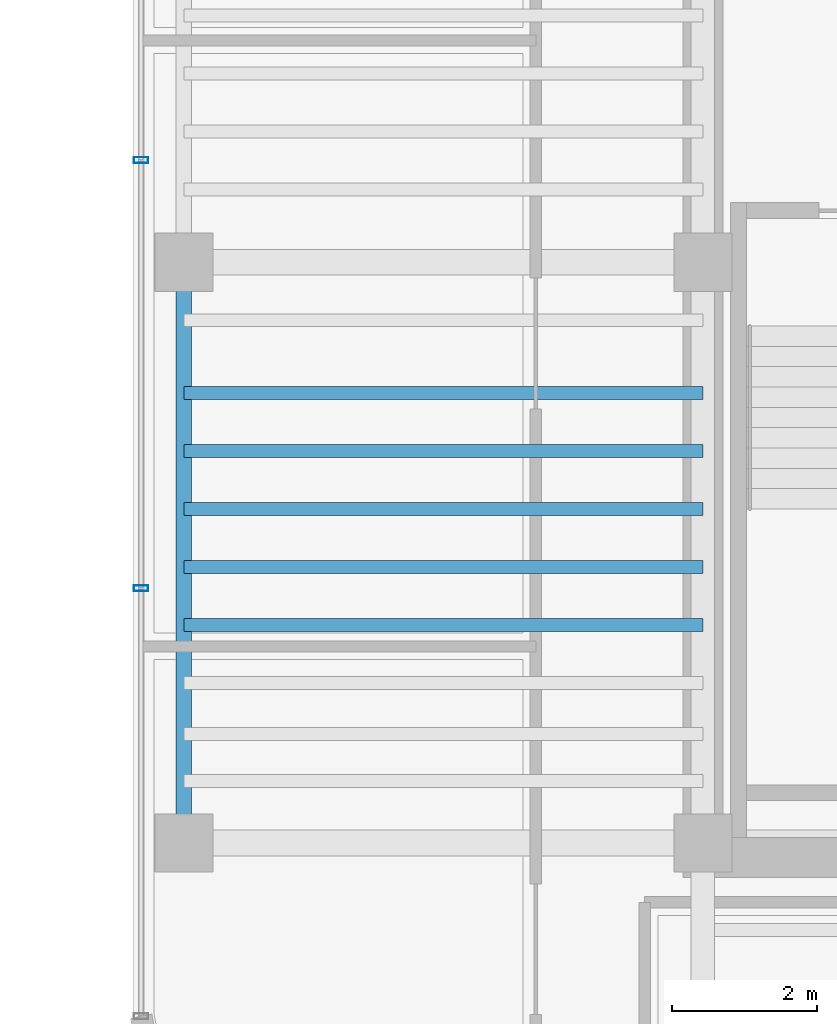
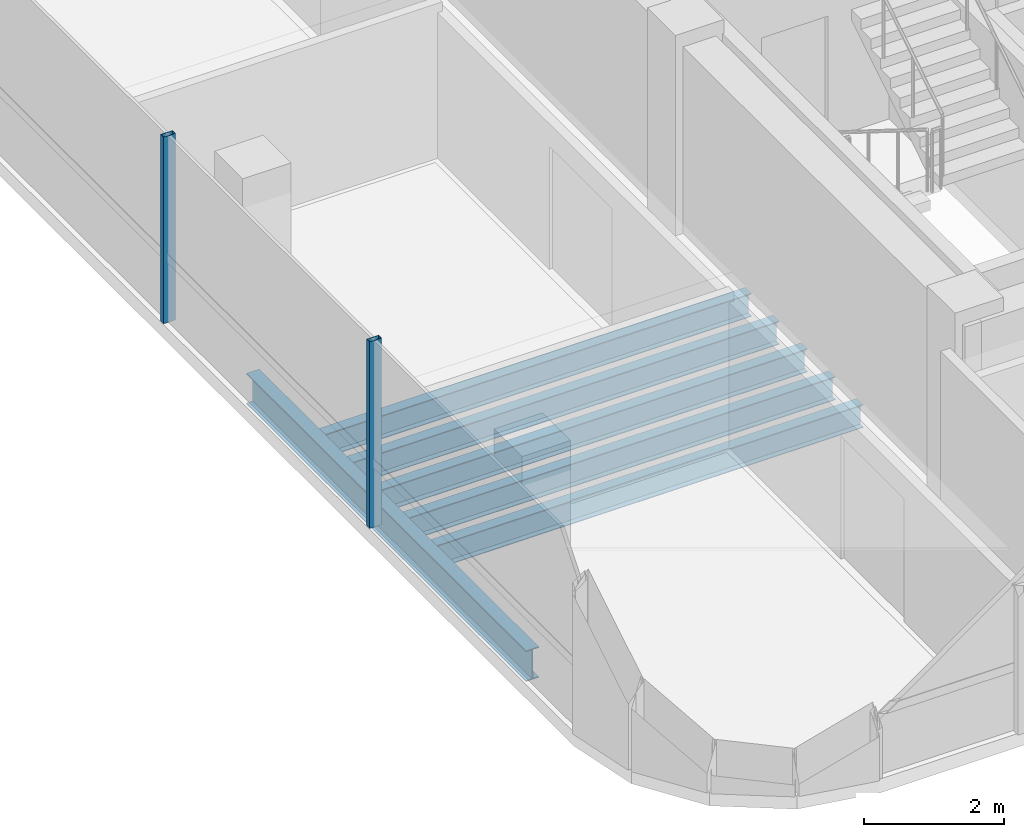
# One storey, part 4 of 21: 6 beams, 2 members, 1 element without a shape of its own.
"""IFC4 building model written with IfcOpenShell, lengths in metres."""

from ifc_helpers import new_model, si_unit, direction, frame, origin, origin_2d, place, context, subcontext, project, spatial, hollow_rectangle, i_section, extrude, source, transform, mapped, material, material_profile, profile_set, type_object, element, aggregate, save


model = new_model("IFC4")

# Units and contexts
model_context = context("Model", 3, precision=1e-05, world=origin(), true_north=direction((0.0, 1.0)))
body_context = subcontext(model_context, "Body", "Model", "MODEL_VIEW")
ifc_project = project(units=[si_unit("LENGTHUNIT", "METRE"), si_unit("AREAUNIT", "SQUARE_METRE"), si_unit("VOLUMEUNIT", "CUBIC_METRE"), si_unit("PLANEANGLEUNIT", "RADIAN"), si_unit("MASSUNIT", "GRAM", prefix="KILO")], contexts=[model_context])

# Site, building, storey
site_placement = place(None, origin())
site = spatial("IfcSite", under=ifc_project, at=site_placement, CompositionType="ELEMENT")
building_placement = place(site_placement, origin())
building = spatial("IfcBuilding", under=site, at=building_placement, Name="Valdorenza Pilgrim Sanctuary Tower", CompositionType="ELEMENT")
storey_placement = place(building_placement, frame((0.0, 0.0, 251.0)))
storey = spatial("IfcBuildingStorey", under=building, at=storey_placement, Name="L65", CompositionType="ELEMENT", Elevation=251.0)

# Beams
ifc_material_1 = material(Name="Steel ASTM A992 Grade 50", Category="steel")
ifc_material_profile_1 = material_profile(ifc_material_1, i_section(OverallWidth=0.2109375, OverallDepth=0.5390625, WebThickness=0.01171875, FlangeThickness=0.018798828125, at=origin_2d()), Name="W21X73")
ifc_profile_set_1 = profile_set([ifc_material_profile_1], Name="Steel ASTM A992 Grade 50")
beam_type_1 = type_object("IfcBeamType", Name="STR-BM-SPN-W21B", PredefinedType="SPANDREL", material=ifc_profile_set_1)
shared_shape_1 = source(origin(), body_context, "Body", "SweptSolid", [
    extrude(i_section(OverallWidth=0.2109375, OverallDepth=0.5390625, WebThickness=0.01171875, FlangeThickness=0.018798828125, at=origin_2d()), origin(), (0.0, 0.0, 1.0), 8.0),
])
beam_placement = place(storey_placement, frame((-29.800048828125, -10.60009765625, -0.509521484375), z_axis=(0.0, 1.0, 0.0), x_axis=(-1.0, 0.0, 0.0)))
element("IfcBeam", 1, at=beam_placement, inside=storey, type_object=beam_type_1, Name="L65 Spandrel Beam WA-W-S1M0", PredefinedType="SPANDREL", context=body_context, shape_type="MappedRepresentation", body=[
    mapped(shared_shape_1, transform((0.0, 0.0, 0.0), x_axis=(1.0, 0.0, 0.0), y_axis=(0.0, 1.0, 0.0), z_axis=(0.0, 0.0, 1.0), scale=1.0)),
])
ifc_material_profile_2 = material_profile(ifc_material_1, i_section(OverallWidth=0.177978515625, OverallDepth=0.406005859375, WebThickness=0.0078125, FlangeThickness=0.0126953125, at=origin_2d()), Name="W16X40")
ifc_profile_set_2 = profile_set([ifc_material_profile_2], Name="Steel ASTM A992 Grade 50")
beam_type_2 = type_object("IfcBeamType", Name="STR-BM-JST-W16", PredefinedType="JOIST", material=ifc_profile_set_2)
shared_shape_2 = source(origin(), body_context, "Body", "SweptSolid", [
    extrude(i_section(OverallWidth=0.177978515625, OverallDepth=0.406005859375, WebThickness=0.0078125, FlangeThickness=0.0126953125, at=origin_2d()), origin(), (0.0, 0.0, 1.0), 7.150146484375),
])
for number, where, z_axis, x_axis, name in (
    (2, (-29.800048828125, -7.60009765625, -0.443115234375), (1.0, 0.0, 0.0), (0.0, 1.0, 0.0), "L65 Composite Floor Joist JST-WA-4"),
    (3, (-29.800048828125, -6.800048828125, -0.443115234375), (1.0, 0.0, 0.0), (0.0, 1.0, 0.0), "L65 Composite Floor Joist JST-WA-5"),
    (4, (-29.800048828125, -6.0, -0.443115234375), (1.0, 0.0, 0.0), (0.0, 1.0, 0.0), "L65 Composite Floor Joist JST-WA-6"),
    (5, (-29.800048828125, -5.199951171875, -0.443115234375), (1.0, 0.0, 0.0), (0.0, 1.0, 0.0), "L65 Composite Floor Joist JST-WA-7"),
    (6, (-29.800048828125, -4.39990234375, -0.443115234375), (1.0, 0.0, 0.0), (0.0, 1.0, 0.0), "L65 Composite Floor Joist JST-WA-8"),
):
    element("IfcBeam", number, at=place(storey_placement, frame(where, z_axis=z_axis, x_axis=x_axis)), inside=storey, type_object=beam_type_2, Name=name, PredefinedType="JOIST", context=body_context, shape_type="MappedRepresentation", body=[
        mapped(shared_shape_2, transform((0.0, 0.0, 0.0), x_axis=(1.0, 0.0, 0.0), y_axis=(0.0, 1.0, 0.0), z_axis=(0.0, 0.0, 1.0), scale=1.0)),
    ])

# Curtain wall, members
ifc_material_2 = material(Name="Curtain-wall IGU glazing", Category="glass")
curtain_wall_type = type_object("IfcCurtainWallType", Name="CW-SYS-02", PredefinedType="NOTDEFINED", material=ifc_material_2)
curtain_wall_placement = place(storey_placement, origin())
curtain_wall = element("IfcCurtainWall", 7, at=curtain_wall_placement, inside=storey, type_object=curtain_wall_type, Name="L65 Curtain Wall CW-L65-1-1S1", PredefinedType="NOTDEFINED")
ifc_material_3 = material(Name="Anodised aluminium AW-6060", Category="aluminium")
ifc_material_profile_3 = material_profile(ifc_material_3, hollow_rectangle(XDim=0.0849609375, YDim=0.199951171875, WallThickness=0.0048828125, at=origin_2d()), Name="ALU-M 200x85x5")
ifc_profile_set_3 = profile_set([ifc_material_profile_3], Name="Anodised aluminium AW-6060")
member_type = type_object("IfcMemberType", Name="CW-MUL-02", PredefinedType="MULLION", material=ifc_profile_set_3)
shared_shape_3 = source(origin(), body_context, "Body", "SweptSolid", [
    extrude(hollow_rectangle(XDim=0.0849609375, YDim=0.199951171875, WallThickness=0.0048828125, at=origin_2d()), origin(), (0.0, 0.0, 1.0), 3.260009765625),
])
member_1_placement = place(storey_placement, frame((-30.389892578125, -7.091796875, 0.0), z_axis=(0.0, 0.0, 1.0), x_axis=(0.0, 1.0, 0.0)))
member_1 = element("IfcMember", 8, at=member_1_placement, type_object=member_type, Name="CW-L65-1-1S1 Mullion 2", PredefinedType="MULLION", context=body_context, shape_type="MappedRepresentation", body=[
    mapped(shared_shape_3, transform((0.0, 0.0, 0.0), x_axis=(1.0, 0.0, 0.0), y_axis=(0.0, 1.0, 0.0), z_axis=(0.0, 0.0, 1.0), scale=1.0)),
])
member_2_placement = place(storey_placement, frame((-30.389892578125, -1.194580078125, 0.0), z_axis=(0.0, 0.0, 1.0), x_axis=(0.0, 1.0, 0.0)))
member_2 = element("IfcMember", 9, at=member_2_placement, type_object=member_type, Name="CW-L65-1-1S1 Mullion 3", PredefinedType="MULLION", context=body_context, shape_type="MappedRepresentation", body=[
    mapped(shared_shape_3, transform((0.0, 0.0, 0.0), x_axis=(1.0, 0.0, 0.0), y_axis=(0.0, 1.0, 0.0), z_axis=(0.0, 0.0, 1.0), scale=1.0)),
])
aggregate(curtain_wall, [member_1, member_2])

save(model, "model.ifc")
